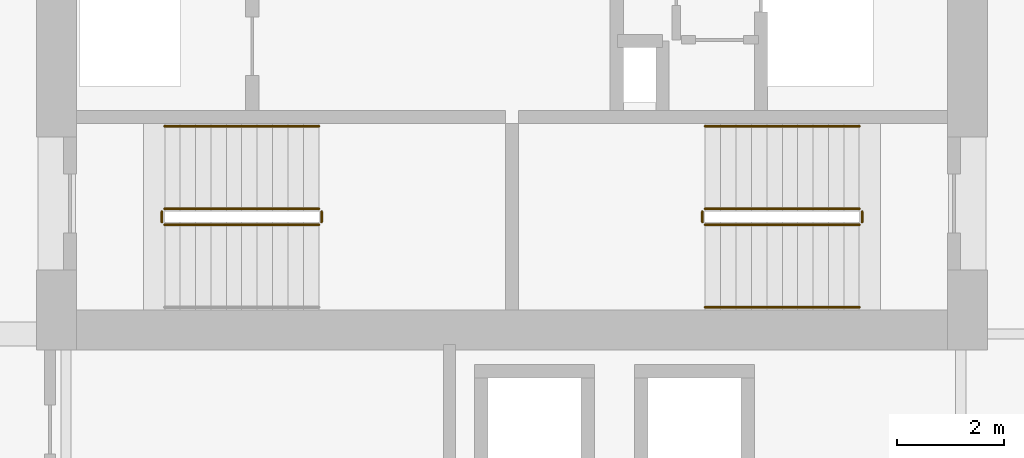
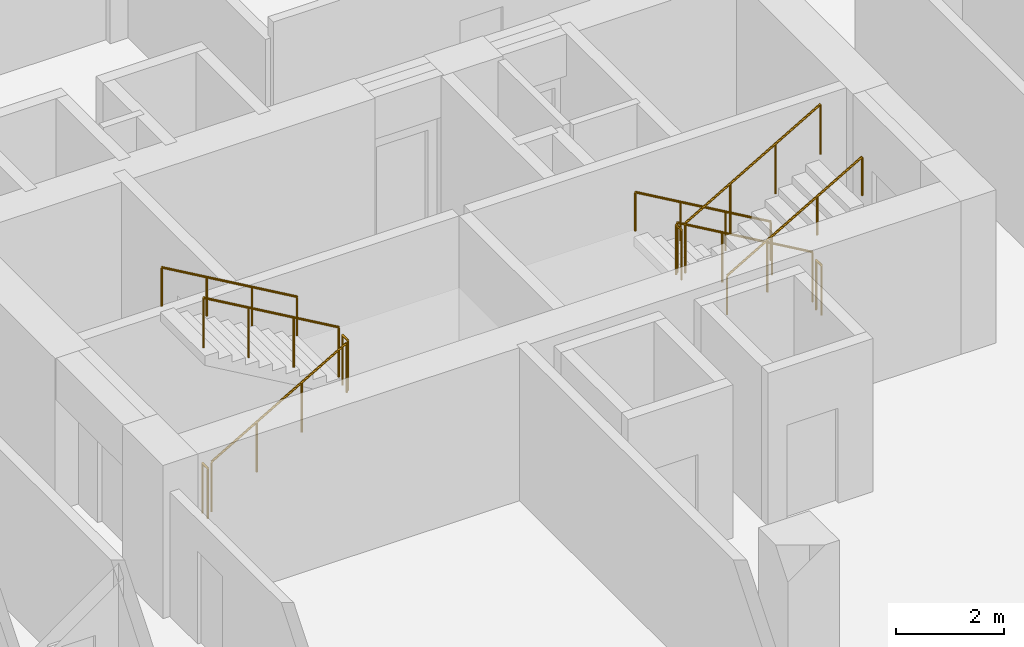
# One storey, part 14 of 16: 11 railings.
"""IFC4 building model written with IfcOpenShell, lengths in metres."""

from ifc_helpers import new_model, si_unit, direction, frame, origin, origin_2d, place, context, subcontext, project, spatial, circle, extrude, material, type_object, element, save


model = new_model("IFC4")

# Units and contexts
model_context = context("Model", 3, precision=1e-05, world=origin(), true_north=direction((0.0, 1.0)))
body_context = subcontext(model_context, "Body", "Model", "MODEL_VIEW")
ifc_project = project(units=[si_unit("LENGTHUNIT", "METRE"), si_unit("AREAUNIT", "SQUARE_METRE"), si_unit("VOLUMEUNIT", "CUBIC_METRE"), si_unit("PLANEANGLEUNIT", "RADIAN"), si_unit("MASSUNIT", "GRAM", prefix="KILO")], contexts=[model_context])

# Site, building, storey
site_placement = place(None, origin())
site = spatial("IfcSite", under=ifc_project, at=site_placement, CompositionType="ELEMENT")
building_placement = place(site_placement, origin())
building = spatial("IfcBuilding", under=site, at=building_placement, Name="Koriwani Terraces Tower", CompositionType="ELEMENT")
storey_placement = place(building_placement, frame((0.0, 0.0, 179.10009765625)))
storey = spatial("IfcBuildingStorey", under=building, at=storey_placement, Name="L43", CompositionType="ELEMENT", Elevation=179.10009765625)

# Railings
ifc_material = material(Name="Steel ASTM A572 Grade 50", Category="steel")
railing_type_1 = type_object("IfcRailingType", Name="GUARD_STAIR_WELL_1120", PredefinedType="GUARDRAIL", material=ifc_material)
railing_1_placement = place(storey_placement, frame((43.85009765625, 18.85009765625, 0.16796875)))
element("IfcRailing", 1, at=railing_1_placement, inside=storey, type_object=railing_type_1, Name="L43 ST-E1 stair guard 1", PredefinedType="GUARDRAIL", context=body_context, shape_type="SweptSolid", body=[
    extrude(circle(Radius=0.02392578125, at=origin_2d()), frame((0.0, 0.0, 1.1259765625), z_axis=(0.865038774852, 0.0, 0.501705010941), x_axis=(0.0, 1.0, 0.0)), (0.0, 0.0, 1.0), 3.352294921875),
    extrude(circle(Radius=0.02099609375, at=origin_2d()), origin(), (0.0, 0.0, 1.0), 1.101806640625),
    extrude(circle(Radius=0.02099609375, at=origin_2d()), frame((0.966552734375, 0.0, 0.560546875)), (0.0, 0.0, 1.0), 1.101806640625),
    extrude(circle(Radius=0.02099609375, at=origin_2d()), frame((1.933349609375, 0.0, 1.121337890625)), (0.0, 0.0, 1.0), 1.101806640625),
    extrude(circle(Radius=0.02099609375, at=origin_2d()), frame((2.89990234375, 0.0, 1.681884765625)), (0.0, 0.0, 1.0), 1.101806640625),
])
railing_2_placement = place(storey_placement, frame((46.800048828125, 18.89990234375, 1.849853515625)))
element("IfcRailing", 2, at=railing_2_placement, inside=storey, type_object=railing_type_1, Name="L43 ST-E1 stair guard 2", PredefinedType="GUARDRAIL", context=body_context, shape_type="SweptSolid", body=[
    extrude(circle(Radius=0.02392578125, at=origin_2d()), frame((0.0, 0.0, 1.1259765625), z_axis=(0.0, 1.0, 0.0), x_axis=(-1.0, 0.0, 0.0)), (0.0, 0.0, 1.0), 0.2001953125),
    extrude(circle(Radius=0.02099609375, at=origin_2d()), origin(), (0.0, 0.0, 1.0), 1.101806640625),
    extrude(circle(Radius=0.02099609375, at=origin_2d()), frame((0.0, 0.2001953125, 0.0)), (0.0, 0.0, 1.0), 1.101806640625),
])
railing_3_placement = place(storey_placement, frame((46.75, 19.14990234375, 2.01806640625)))
element("IfcRailing", 3, at=railing_3_placement, inside=storey, type_object=railing_type_1, Name="L43 ST-E1 stair guard 3", PredefinedType="GUARDRAIL", context=body_context, shape_type="SweptSolid", body=[
    extrude(circle(Radius=0.02392578125, at=origin_2d()), frame((0.0, 0.0, 1.1259765625), z_axis=(-0.865038774852, 0.0, 0.501705010941), x_axis=(0.0, -1.0, 0.0)), (0.0, 0.0, 1.0), 3.352294921875),
    extrude(circle(Radius=0.02099609375, at=origin_2d()), origin(), (0.0, 0.0, 1.0), 1.101806640625),
    extrude(circle(Radius=0.02099609375, at=origin_2d()), frame((-0.966552734375, 0.0, 0.560546875)), (0.0, 0.0, 1.0), 1.101806640625),
    extrude(circle(Radius=0.02099609375, at=origin_2d()), frame((-1.933349609375, 0.0, 1.121337890625)), (0.0, 0.0, 1.0), 1.101806640625),
    extrude(circle(Radius=0.02099609375, at=origin_2d()), frame((-2.89990234375, 0.0, 1.681884765625)), (0.0, 0.0, 1.0), 1.101806640625),
])
railing_4_placement = place(storey_placement, frame((43.800048828125, 18.89990234375, 0.0)))
element("IfcRailing", 4, at=railing_4_placement, inside=storey, type_object=railing_type_1, Name="L43 ST-E1 stair guard 4", PredefinedType="GUARDRAIL", context=body_context, shape_type="SweptSolid", body=[
    extrude(circle(Radius=0.02392578125, at=origin_2d()), frame((0.0, 0.0, 1.1259765625), z_axis=(0.0, 1.0, 0.0), x_axis=(-1.0, 0.0, 0.0)), (0.0, 0.0, 1.0), 0.2001953125),
    extrude(circle(Radius=0.02099609375, at=origin_2d()), origin(), (0.0, 0.0, 1.0), 1.101806640625),
    extrude(circle(Radius=0.02099609375, at=origin_2d()), frame((0.0, 0.2001953125, 0.0)), (0.0, 0.0, 1.0), 1.101806640625),
])
railing_5_placement = place(storey_placement, frame((56.89990234375, 19.14990234375, 0.16796875)))
element("IfcRailing", 5, at=railing_5_placement, inside=storey, type_object=railing_type_1, Name="L43 ST-E2 stair guard 1", PredefinedType="GUARDRAIL", context=body_context, shape_type="SweptSolid", body=[
    extrude(circle(Radius=0.02392578125, at=origin_2d()), frame((0.0, 0.0, 1.1259765625), z_axis=(-0.865038774852, 0.0, 0.501705010941), x_axis=(0.0, -1.0, 0.0)), (0.0, 0.0, 1.0), 3.352294921875),
    extrude(circle(Radius=0.02099609375, at=origin_2d()), origin(), (0.0, 0.0, 1.0), 1.101806640625),
    extrude(circle(Radius=0.02099609375, at=origin_2d()), frame((-0.966552734375, 0.0, 0.560546875)), (0.0, 0.0, 1.0), 1.101806640625),
    extrude(circle(Radius=0.02099609375, at=origin_2d()), frame((-1.933349609375, 0.0, 1.121337890625)), (0.0, 0.0, 1.0), 1.101806640625),
    extrude(circle(Radius=0.02099609375, at=origin_2d()), frame((-2.89990234375, 0.0, 1.681884765625)), (0.0, 0.0, 1.0), 1.101806640625),
])
railing_6_placement = place(storey_placement, frame((53.949951171875, 19.10009765625, 1.849853515625)))
element("IfcRailing", 6, at=railing_6_placement, inside=storey, type_object=railing_type_1, Name="L43 ST-E2 stair guard 2", PredefinedType="GUARDRAIL", context=body_context, shape_type="SweptSolid", body=[
    extrude(circle(Radius=0.02392578125, at=origin_2d()), frame((0.0, 0.0, 1.1259765625), z_axis=(0.0, -1.0, 0.0), x_axis=(1.0, 0.0, 0.0)), (0.0, 0.0, 1.0), 0.2001953125),
    extrude(circle(Radius=0.02099609375, at=origin_2d()), origin(), (0.0, 0.0, 1.0), 1.101806640625),
    extrude(circle(Radius=0.02099609375, at=origin_2d()), frame((0.0, -0.2001953125, 0.0)), (0.0, 0.0, 1.0), 1.101806640625),
])
railing_7_placement = place(storey_placement, frame((54.0, 18.85009765625, 2.01806640625)))
element("IfcRailing", 7, at=railing_7_placement, inside=storey, type_object=railing_type_1, Name="L43 ST-E2 stair guard 3", PredefinedType="GUARDRAIL", context=body_context, shape_type="SweptSolid", body=[
    extrude(circle(Radius=0.02392578125, at=origin_2d()), frame((0.0, 0.0, 1.1259765625), z_axis=(0.865038774852, 0.0, 0.501705010941), x_axis=(0.0, 1.0, 0.0)), (0.0, 0.0, 1.0), 3.352294921875),
    extrude(circle(Radius=0.02099609375, at=origin_2d()), origin(), (0.0, 0.0, 1.0), 1.101806640625),
    extrude(circle(Radius=0.02099609375, at=origin_2d()), frame((0.966552734375, 0.0, 0.560546875)), (0.0, 0.0, 1.0), 1.101806640625),
    extrude(circle(Radius=0.02099609375, at=origin_2d()), frame((1.933349609375, 0.0, 1.121337890625)), (0.0, 0.0, 1.0), 1.101806640625),
    extrude(circle(Radius=0.02099609375, at=origin_2d()), frame((2.89990234375, 0.0, 1.681884765625)), (0.0, 0.0, 1.0), 1.101806640625),
])
railing_8_placement = place(storey_placement, frame((56.949951171875, 19.10009765625, 0.0)))
element("IfcRailing", 8, at=railing_8_placement, inside=storey, type_object=railing_type_1, Name="L43 ST-E2 stair guard 4", PredefinedType="GUARDRAIL", context=body_context, shape_type="SweptSolid", body=[
    extrude(circle(Radius=0.02392578125, at=origin_2d()), frame((0.0, 0.0, 1.1259765625), z_axis=(0.0, -1.0, 0.0), x_axis=(1.0, 0.0, 0.0)), (0.0, 0.0, 1.0), 0.2001953125),
    extrude(circle(Radius=0.02099609375, at=origin_2d()), origin(), (0.0, 0.0, 1.0), 1.101806640625),
    extrude(circle(Radius=0.02099609375, at=origin_2d()), frame((0.0, -0.2001953125, 0.0)), (0.0, 0.0, 1.0), 1.101806640625),
])
railing_type_2 = type_object("IfcRailingType", Name="HANDRAIL_STAIR_920", PredefinedType="HANDRAIL", material=ifc_material)
for number, where, name in (
    (9, (46.75, 20.699951171875, 2.01806640625), "L43 ST-E1 stair handrail 2"),
    (10, (56.89990234375, 20.699951171875, 0.16796875), "L43 ST-E2 stair handrail 1"),
):
    element("IfcRailing", number, at=place(storey_placement, frame(where)), inside=storey, type_object=railing_type_2, Name=name, PredefinedType="HANDRAIL", context=body_context, shape_type="SweptSolid", body=[
        extrude(circle(Radius=0.02392578125, at=origin_2d()), frame((0.0, 0.0, 0.8759765625), z_axis=(-0.865038774852, 0.0, 0.501705010941), x_axis=(0.0, -1.0, 0.0)), (0.0, 0.0, 1.0), 3.352294921875),
        extrude(circle(Radius=0.02099609375, at=origin_2d()), origin(), (0.0, 0.0, 1.0), 0.851806640625),
        extrude(circle(Radius=0.02099609375, at=origin_2d()), frame((-0.966552734375, 0.0, 0.560546875)), (0.0, 0.0, 1.0), 0.851806640625),
        extrude(circle(Radius=0.02099609375, at=origin_2d()), frame((-1.933349609375, 0.0, 1.121337890625)), (0.0, 0.0, 1.0), 0.851806640625),
        extrude(circle(Radius=0.02099609375, at=origin_2d()), frame((-2.89990234375, 0.0, 1.681884765625)), (0.0, 0.0, 1.0), 0.851806640625),
    ])
railing_9_placement = place(storey_placement, frame((54.0, 17.300048828125, 2.01806640625)))
element("IfcRailing", 11, at=railing_9_placement, inside=storey, type_object=railing_type_2, Name="L43 ST-E2 stair handrail 2", PredefinedType="HANDRAIL", context=body_context, shape_type="SweptSolid", body=[
    extrude(circle(Radius=0.02392578125, at=origin_2d()), frame((0.0, 0.0, 0.8759765625), z_axis=(0.865038774852, 0.0, 0.501705010941), x_axis=(0.0, 1.0, 0.0)), (0.0, 0.0, 1.0), 3.352294921875),
    extrude(circle(Radius=0.02099609375, at=origin_2d()), origin(), (0.0, 0.0, 1.0), 0.851806640625),
    extrude(circle(Radius=0.02099609375, at=origin_2d()), frame((0.966552734375, 0.0, 0.560546875)), (0.0, 0.0, 1.0), 0.851806640625),
    extrude(circle(Radius=0.02099609375, at=origin_2d()), frame((1.933349609375, 0.0, 1.121337890625)), (0.0, 0.0, 1.0), 0.851806640625),
    extrude(circle(Radius=0.02099609375, at=origin_2d()), frame((2.89990234375, 0.0, 1.681884765625)), (0.0, 0.0, 1.0), 0.851806640625),
])

save(model, "model.ifc")
